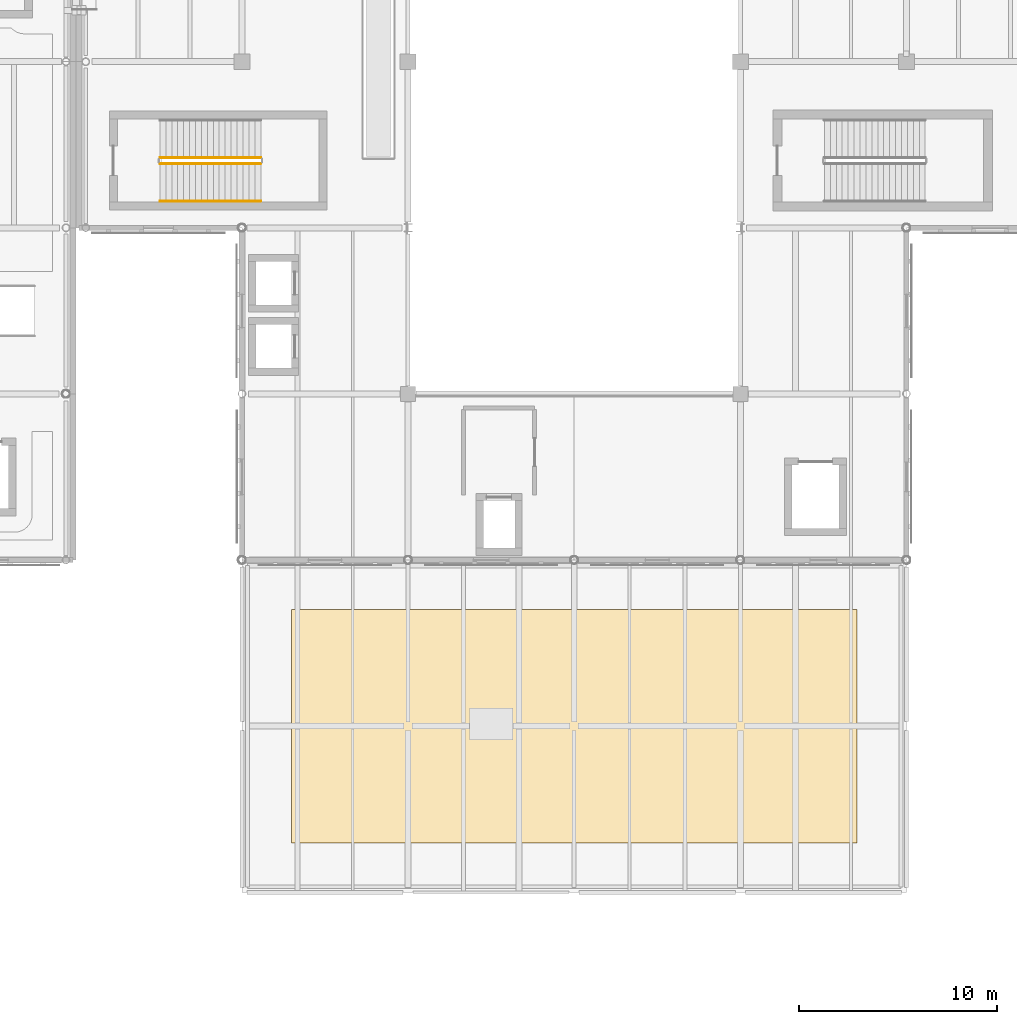
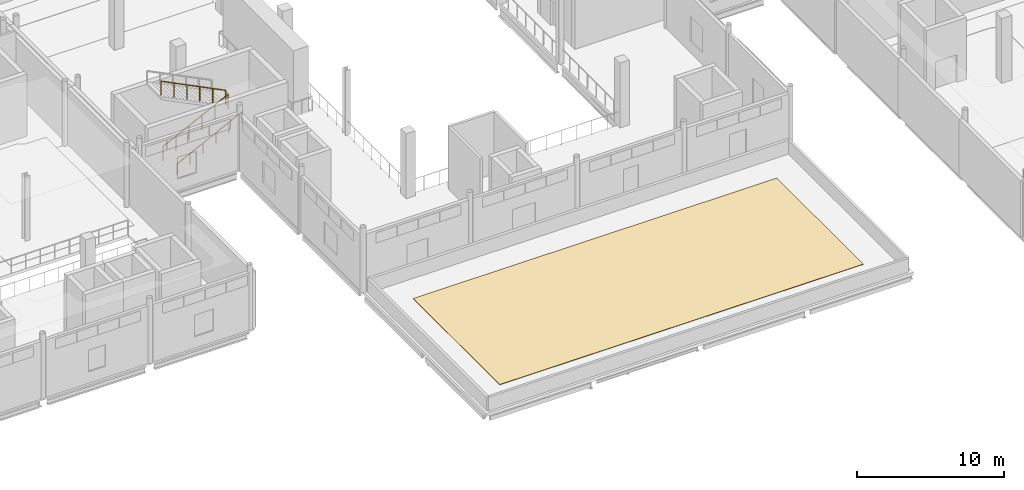
# One storey, part 91 of 110: 3 railings, 1 covering.
"""IFC4 building model written with IfcOpenShell, lengths in metres."""

from ifc_helpers import new_model, si_unit, direction, frame, origin, origin_2d, place, context, subcontext, project, spatial, polyline, circle, outline, extrude, material, layer, layer_set, type_object, element, save


model = new_model("IFC4")

# Units and contexts
model_context = context("Model", 3, precision=1e-05, world=origin(), true_north=direction((0.0, 1.0)))
body_context = subcontext(model_context, "Body", "Model", "MODEL_VIEW")
ifc_project = project(units=[si_unit("LENGTHUNIT", "METRE"), si_unit("AREAUNIT", "SQUARE_METRE"), si_unit("VOLUMEUNIT", "CUBIC_METRE"), si_unit("PLANEANGLEUNIT", "RADIAN"), si_unit("MASSUNIT", "GRAM", prefix="KILO"), si_unit("THERMODYNAMICTEMPERATUREUNIT", "KELVIN")], contexts=[model_context])

# Site, building, storey
site_placement = place(None, origin())
site = spatial("IfcSite", under=ifc_project, at=site_placement, CompositionType="ELEMENT")
building_placement = place(site_placement, origin())
building = spatial("IfcBuilding", under=site, at=building_placement, Name="Lustrewick Department Store", CompositionType="ELEMENT")
storey_placement = place(building_placement, frame((0.0, 0.0, 6.0)))
storey = spatial("IfcBuildingStorey", under=building, at=storey_placement, Name="L02", CompositionType="ELEMENT", Elevation=6.0)

# Covering
ifc_material_1 = material(Name="Single-ply TPO insulated roofing membrane", Category="plastic")
ifc_layer = layer(ifc_material_1, 0.034912109375, Name="Single-ply TPO insulated roofing membrane")
ifc_layer_set = layer_set([ifc_layer], Name="Single-ply TPO insulated roofing membrane")
covering_type = type_object("IfcCoveringType", Name="COV-ROOF", PredefinedType="ROOFING", material=ifc_layer_set)
covering_placement = place(storey_placement, origin())
element("IfcCovering", 1, at=covering_placement, inside=storey, type_object=covering_type, Name="L02 TPO Roof Membrane 06", PredefinedType="ROOFING", context=body_context, shape_type="SweptSolid", body=[
    extrude(outline(polyline([(98.300048828125, 39.5), (69.699951171875, 39.5), (69.699951171875, 27.699951171875), (98.300048828125, 27.699951171875), (98.300048828125, 39.5)])), origin(), (0.0, 0.0, 1.0), 0.034912109375),
])

# Railings
ifc_material_2 = material(Name="Painted tubular steel stairwell guardrail", Category="steel")
railing_type_1 = type_object("IfcRailingType", Name="RL-STG", PredefinedType="GUARDRAIL", material=ifc_material_2)
railing_1_placement = place(storey_placement, frame((63.050048828125, 62.050048828125, 0.14990234375)))
element("IfcRailing", 2, at=railing_1_placement, inside=storey, type_object=railing_type_1, Name="L02 ST04 Stair Guard 1", PredefinedType="GUARDRAIL", context=body_context, shape_type="SweptSolid", body=[
    extrude(circle(Radius=0.02392578125, at=origin_2d()), frame((0.0, 0.0, 1.17578125), z_axis=(0.894418627299, 0.0, 0.447230722492), x_axis=(0.0, 1.0, 0.0)), (0.0, 0.0, 1.0), 5.701904296875),
    extrude(circle(Radius=0.02099609375, at=origin_2d()), origin(), (0.0, 0.0, 1.0), 1.15185546875),
    extrude(circle(Radius=0.02099609375, at=origin_2d()), frame((1.02001953125, 0.0, 0.510009765625)), (0.0, 0.0, 1.0), 1.15185546875),
    extrude(circle(Radius=0.02099609375, at=origin_2d()), frame((2.0400390625, 0.0, 1.02001953125)), (0.0, 0.0, 1.0), 1.15185546875),
    extrude(circle(Radius=0.02099609375, at=origin_2d()), frame((3.059814453125, 0.0, 1.530029296875)), (0.0, 0.0, 1.0), 1.15185546875),
    extrude(circle(Radius=0.02099609375, at=origin_2d()), frame((4.079833984375, 0.0, 2.0400390625)), (0.0, 0.0, 1.0), 1.15185546875),
    extrude(circle(Radius=0.02099609375, at=origin_2d()), frame((5.099853515625, 0.0, 2.550048828125)), (0.0, 0.0, 1.0), 1.15185546875),
])
railing_2_placement = place(storey_placement, frame((68.14990234375, 62.35009765625, 2.85009765625)))
element("IfcRailing", 3, at=railing_2_placement, inside=storey, type_object=railing_type_1, Name="L02 ST04 Stair Guard 3", PredefinedType="GUARDRAIL", context=body_context, shape_type="SweptSolid", body=[
    extrude(circle(Radius=0.02392578125, at=origin_2d()), frame((0.0, 0.0, 1.17578125), z_axis=(-0.894435754537, 0.0, 0.447196468016), x_axis=(0.0, -1.0, 0.0)), (0.0, 0.0, 1.0), 5.70166015625),
    extrude(circle(Radius=0.02099609375, at=origin_2d()), origin(), (0.0, 0.0, 1.0), 1.15185546875),
    extrude(circle(Radius=0.02099609375, at=origin_2d()), frame((-1.02001953125, 0.0, 0.510009765625)), (0.0, 0.0, 1.0), 1.15185546875),
    extrude(circle(Radius=0.02099609375, at=origin_2d()), frame((-2.0400390625, 0.0, 1.02001953125)), (0.0, 0.0, 1.0), 1.15185546875),
    extrude(circle(Radius=0.02099609375, at=origin_2d()), frame((-3.059814453125, 0.0, 1.52978515625)), (0.0, 0.0, 1.0), 1.15185546875),
    extrude(circle(Radius=0.02099609375, at=origin_2d()), frame((-4.079833984375, 0.0, 2.039794921875)), (0.0, 0.0, 1.0), 1.15185546875),
    extrude(circle(Radius=0.02099609375, at=origin_2d()), frame((-5.099853515625, 0.0, 2.5498046875)), (0.0, 0.0, 1.0), 1.15185546875),
])
ifc_material_3 = material(Name="Brushed stainless steel wall handrail", Category="steel")
railing_type_2 = type_object("IfcRailingType", Name="RL-STH", PredefinedType="HANDRAIL", material=ifc_material_3)
railing_3_placement = place(storey_placement, frame((63.050048828125, 60.14990234375, 0.14990234375)))
element("IfcRailing", 4, at=railing_3_placement, inside=storey, type_object=railing_type_2, Name="L02 ST04 Stair Handrail 1", PredefinedType="HANDRAIL", context=body_context, shape_type="SweptSolid", body=[
    extrude(circle(Radius=0.02392578125, at=origin_2d()), frame((0.0, 0.0, 0.8759765625), z_axis=(0.894418627299, 0.0, 0.447230722492), x_axis=(0.0, 1.0, 0.0)), (0.0, 0.0, 1.0), 5.701904296875),
    extrude(circle(Radius=0.02099609375, at=origin_2d()), origin(), (0.0, 0.0, 1.0), 0.851806640625),
    extrude(circle(Radius=0.02099609375, at=origin_2d()), frame((1.02001953125, 0.0, 0.510009765625)), (0.0, 0.0, 1.0), 0.851806640625),
    extrude(circle(Radius=0.02099609375, at=origin_2d()), frame((2.0400390625, 0.0, 1.02001953125)), (0.0, 0.0, 1.0), 0.851806640625),
    extrude(circle(Radius=0.02099609375, at=origin_2d()), frame((3.059814453125, 0.0, 1.530029296875)), (0.0, 0.0, 1.0), 0.851806640625),
    extrude(circle(Radius=0.02099609375, at=origin_2d()), frame((4.079833984375, 0.0, 2.0400390625)), (0.0, 0.0, 1.0), 0.851806640625),
    extrude(circle(Radius=0.02099609375, at=origin_2d()), frame((5.099853515625, 0.0, 2.550048828125)), (0.0, 0.0, 1.0), 0.851806640625),
])

save(model, "model.ifc")
